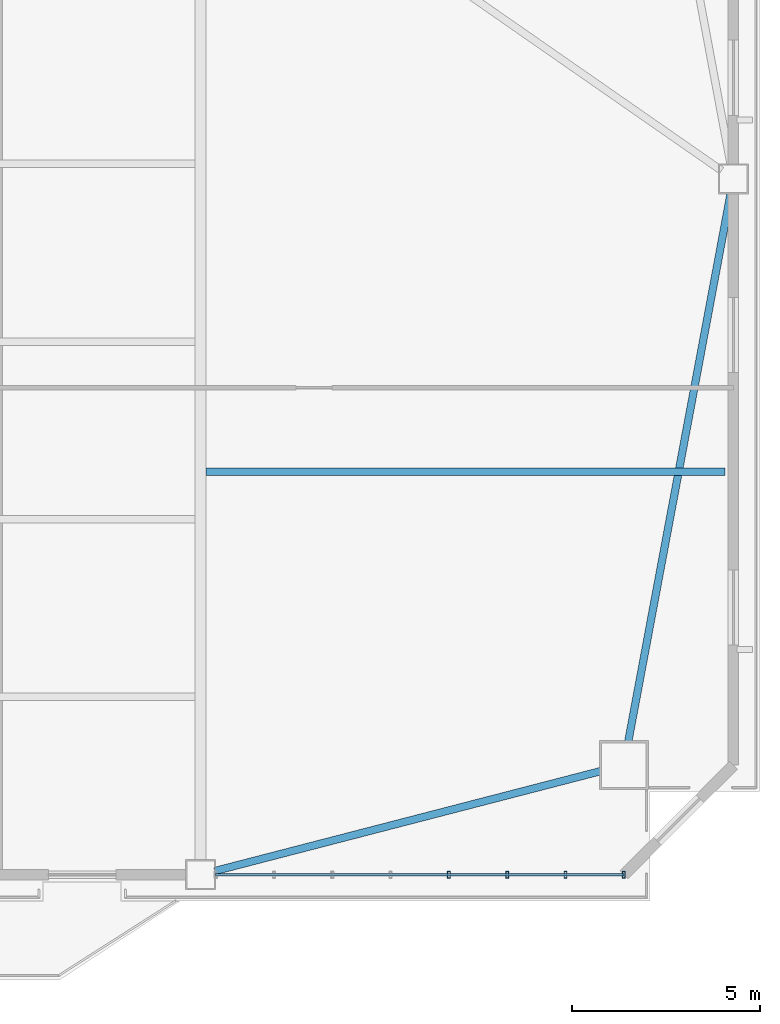
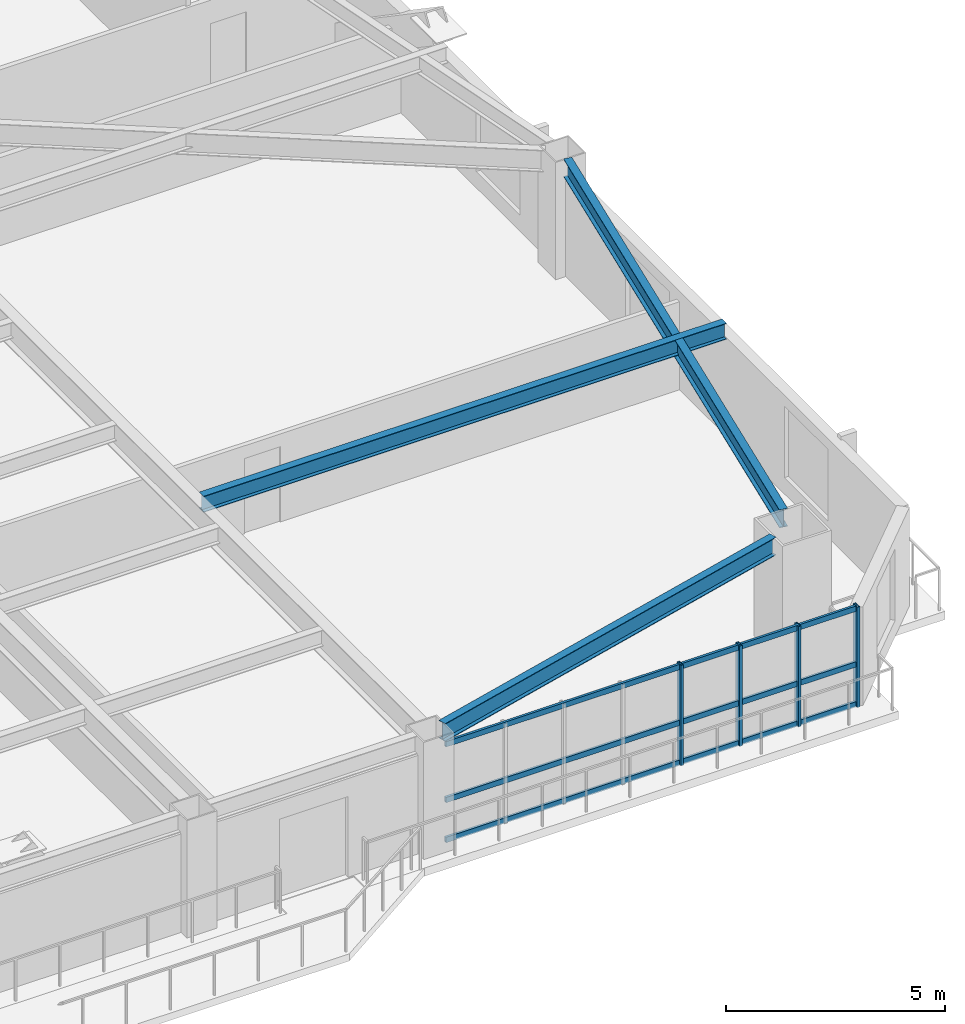
# One storey, part 5 of 16: 7 members, 3 beams, 1 element without a shape of its own.
"""IFC4 building model written with IfcOpenShell, lengths in metres."""

from ifc_helpers import new_model, si_unit, direction, frame, origin, origin_2d, place, context, subcontext, project, spatial, hollow_rectangle, i_section, extrude, source, transform, mapped, material, layer, layer_set, material_profile, profile_set, type_object, element, aggregate, save


model = new_model("IFC4")

# Units and contexts
model_context = context("Model", 3, precision=1e-05, world=origin(), true_north=direction((0.0, 1.0)))
body_context = subcontext(model_context, "Body", "Model", "MODEL_VIEW")
ifc_project = project(units=[si_unit("LENGTHUNIT", "METRE"), si_unit("AREAUNIT", "SQUARE_METRE"), si_unit("VOLUMEUNIT", "CUBIC_METRE"), si_unit("PLANEANGLEUNIT", "RADIAN"), si_unit("MASSUNIT", "GRAM", prefix="KILO")], contexts=[model_context])

# Site, building, storey
site_placement = place(None, origin())
site = spatial("IfcSite", under=ifc_project, at=site_placement, CompositionType="ELEMENT")
building_placement = place(site_placement, origin())
building = spatial("IfcBuilding", under=site, at=building_placement, Name="Giltprow Tower", CompositionType="ELEMENT")
storey_placement = place(building_placement, frame((0.0, 0.0, 163.199951171875)))
storey = spatial("IfcBuildingStorey", under=building, at=storey_placement, Name="L40", CompositionType="ELEMENT", Elevation=163.199951171875)

# Beams
ifc_material_1 = material(Name="Structural steel Q355B", Category="steel")
ifc_material_profile_1 = material_profile(ifc_material_1, i_section(OverallWidth=0.199951171875, OverallDepth=0.5, WebThickness=0.010009765625, FlangeThickness=0.01611328125, at=origin_2d()), Name="HN 500x200x10x16")
ifc_profile_set_1 = profile_set([ifc_material_profile_1], Name="Structural steel Q355B")
beam_type_1 = type_object("IfcBeamType", Name="BM-SPAN-HN500", PredefinedType="SPANDREL", material=ifc_profile_set_1)
shared_shape_1 = source(origin(), body_context, "Body", "SweptSolid", [
    extrude(i_section(OverallWidth=0.199951171875, OverallDepth=0.5, WebThickness=0.010009765625, FlangeThickness=0.01611328125, at=origin_2d()), origin(), (0.0, 0.0, 1.0), 10.603515625),
])
beam_1_placement = place(storey_placement, frame((50.923095703125, 9.194091796875, 3.02001953125), z_axis=(0.96807267562, 0.25066969246, 0.0), x_axis=(-0.25066969246, 0.96807267562, 0.0)))
element("IfcBeam", 1, at=beam_1_placement, inside=storey, type_object=beam_type_1, Name="L40 Perimeter Spandrel Beam S4-MC_SE", PredefinedType="SPANDREL", context=body_context, shape_type="MappedRepresentation", body=[
    mapped(shared_shape_1, transform((0.0, 0.0, 0.0), x_axis=(1.0, 0.0, 0.0), y_axis=(0.0, 1.0, 0.0), z_axis=(0.0, 0.0, 1.0), scale=1.0)),
])
shared_shape_2 = source(origin(), body_context, "Body", "SweptSolid", [
    extrude(i_section(OverallWidth=0.199951171875, OverallDepth=0.5, WebThickness=0.010009765625, FlangeThickness=0.01611328125, at=origin_2d()), origin(), (0.0, 0.0, 1.0), 14.83837890625),
])
beam_2_placement = place(storey_placement, frame((61.919921875, 12.635009765625, 3.02001953125), z_axis=(0.183652712761, 0.982991190752, 0.0), x_axis=(-0.982991190752, 0.183652712761, 0.0)))
element("IfcBeam", 2, at=beam_2_placement, inside=storey, type_object=beam_type_1, Name="L40 Perimeter Spandrel Beam MC_SE-E_MID", PredefinedType="SPANDREL", context=body_context, shape_type="MappedRepresentation", body=[
    mapped(shared_shape_2, transform((0.0, 0.0, 0.0), x_axis=(1.0, 0.0, 0.0), y_axis=(0.0, 1.0, 0.0), z_axis=(0.0, 0.0, 1.0), scale=1.0)),
])
ifc_material_profile_2 = material_profile(ifc_material_1, i_section(OverallWidth=0.199951171875, OverallDepth=0.449951171875, WebThickness=0.009033203125, FlangeThickness=0.013916015625, at=origin_2d()), Name="HN 450x200x9x14")
ifc_profile_set_2 = profile_set([ifc_material_profile_2], Name="Structural steel Q355B")
beam_type_2 = type_object("IfcBeamType", Name="BM-JOIST-HN450", PredefinedType="JOIST", material=ifc_profile_set_2)
shared_shape_3 = source(origin(), body_context, "Body", "SweptSolid", [
    extrude(i_section(OverallWidth=0.199951171875, OverallDepth=0.449951171875, WebThickness=0.009033203125, FlangeThickness=0.013916015625, at=origin_2d()), origin(), (0.0, 0.0, 1.0), 13.801025390625),
])
beam_3_placement = place(storey_placement, frame((50.695068359375, 19.804931640625, 3.045166015625), z_axis=(1.0, 0.0, 0.0), x_axis=(0.0, 1.0, 0.0)))
element("IfcBeam", 3, at=beam_3_placement, inside=storey, type_object=beam_type_2, Name="L40 East Wing Floor Joist 1", PredefinedType="JOIST", context=body_context, shape_type="MappedRepresentation", body=[
    mapped(shared_shape_3, transform((0.0, 0.0, 0.0), x_axis=(1.0, 0.0, 0.0), y_axis=(0.0, 1.0, 0.0), z_axis=(0.0, 0.0, 1.0), scale=1.0)),
])

# Curtain wall, members
ifc_material_2 = material(Name="Anodized bronze", Category="metal")
ifc_layer = layer(ifc_material_2, 0.179931640625, Name="Anodized bronze")
ifc_layer_set = layer_set([ifc_layer], Name="Anodized bronze")
curtain_wall_type = type_object("IfcCurtainWallType", Name="CW-HTL-BRONZE", PredefinedType="NOTDEFINED", material=ifc_layer_set)
curtain_wall_placement = place(storey_placement, origin())
curtain_wall = element("IfcCurtainWall", 4, at=curtain_wall_placement, inside=storey, type_object=curtain_wall_type, Name="L40 South Recessed Curtain Wall 6", PredefinedType="NOTDEFINED")
ifc_material_profile_3 = material_profile(ifc_material_2, hollow_rectangle(XDim=0.074951171875, YDim=0.179931640625, WallThickness=0.008056640625, at=origin_2d()), Name="RHS 180x75x8")
ifc_profile_set_3 = profile_set([ifc_material_profile_3], Name="Anodized bronze")
member_type_1 = type_object("IfcMemberType", Name="CW-MULLION-180x75", PredefinedType="MULLION", material=ifc_profile_set_3)
shared_shape_4 = source(origin(), body_context, "Body", "SweptSolid", [
    extrude(hollow_rectangle(XDim=0.074951171875, YDim=0.179931640625, WallThickness=0.008056640625, at=origin_2d()), origin(), (0.0, 0.0, 1.0), 2.80517578125),
])
member_1_placement = place(storey_placement, frame((57.152099609375, 9.097900390625, -0.02001953125), z_axis=(0.0, 0.0, 1.0), x_axis=(1.0, 0.0, 0.0)))
member_1 = element("IfcMember", 5, at=member_1_placement, type_object=member_type_1, Name="L40 South Recessed Curtain Wall 6 Mullion 5", PredefinedType="MULLION", context=body_context, shape_type="MappedRepresentation", body=[
    mapped(shared_shape_4, transform((0.0, 0.0, 0.0), x_axis=(1.0, 0.0, 0.0), y_axis=(0.0, 1.0, 0.0), z_axis=(0.0, 0.0, 1.0), scale=1.0)),
])
member_2_placement = place(storey_placement, frame((58.701904296875, 9.097900390625, -0.02001953125), z_axis=(0.0, 0.0, 1.0), x_axis=(1.0, 0.0, 0.0)))
member_2 = element("IfcMember", 6, at=member_2_placement, type_object=member_type_1, Name="L40 South Recessed Curtain Wall 6 Mullion 6", PredefinedType="MULLION", context=body_context, shape_type="MappedRepresentation", body=[
    mapped(shared_shape_4, transform((0.0, 0.0, 0.0), x_axis=(1.0, 0.0, 0.0), y_axis=(0.0, 1.0, 0.0), z_axis=(0.0, 0.0, 1.0), scale=1.0)),
])
member_3_placement = place(storey_placement, frame((60.2529296875, 9.097900390625, -0.02001953125), z_axis=(0.0, 0.0, 1.0), x_axis=(1.0, 0.0, 0.0)))
member_3 = element("IfcMember", 7, at=member_3_placement, type_object=member_type_1, Name="L40 South Recessed Curtain Wall 6 Mullion 7", PredefinedType="MULLION", context=body_context, shape_type="MappedRepresentation", body=[
    mapped(shared_shape_4, transform((0.0, 0.0, 0.0), x_axis=(1.0, 0.0, 0.0), y_axis=(0.0, 1.0, 0.0), z_axis=(0.0, 0.0, 1.0), scale=1.0)),
])
member_4_placement = place(storey_placement, frame((61.802978515625, 9.097900390625, -0.02001953125), z_axis=(0.0, 0.0, 1.0), x_axis=(1.0, 0.0, 0.0)))
member_4 = element("IfcMember", 8, at=member_4_placement, type_object=member_type_1, Name="L40 South Recessed Curtain Wall 6 Mullion 8", PredefinedType="MULLION", context=body_context, shape_type="MappedRepresentation", body=[
    mapped(shared_shape_4, transform((0.0, 0.0, 0.0), x_axis=(1.0, 0.0, 0.0), y_axis=(0.0, 1.0, 0.0), z_axis=(0.0, 0.0, 1.0), scale=1.0)),
])
ifc_material_profile_4 = material_profile(ifc_material_2, hollow_rectangle(XDim=0.06494140625, YDim=0.14990234375, WallThickness=0.006103515625, at=origin_2d()), Name="RHS 150x65x6")
ifc_profile_set_4 = profile_set([ifc_material_profile_4], Name="Anodized bronze")
member_type_2 = type_object("IfcMemberType", Name="CW-TRANSOM-150x65", PredefinedType="USERDEFINED", material=ifc_profile_set_4)
shared_shape_5 = source(origin(), body_context, "Body", "SweptSolid", [
    extrude(hollow_rectangle(XDim=0.06494140625, YDim=0.14990234375, WallThickness=0.006103515625, at=origin_2d()), origin(), (0.0, 0.0, 1.0), 10.85302734375),
])
member_5_placement = place(storey_placement, frame((50.949951171875, 9.097900390625, 0.0400390625), z_axis=(1.0, 0.0, 0.0), x_axis=(0.0, 1.0, 0.0)))
member_5 = element("IfcMember", 9, at=member_5_placement, type_object=member_type_2, Name="L40 South Recessed Curtain Wall 6 Transom 1", ObjectType="TRANSOM", PredefinedType="USERDEFINED", context=body_context, shape_type="MappedRepresentation", body=[
    mapped(shared_shape_5, transform((0.0, 0.0, 0.0), x_axis=(1.0, 0.0, 0.0), y_axis=(0.0, 1.0, 0.0), z_axis=(0.0, 0.0, 1.0), scale=1.0)),
])
member_6_placement = place(storey_placement, frame((50.949951171875, 9.097900390625, 1.155029296875), z_axis=(1.0, 0.0, 0.0), x_axis=(0.0, 1.0, 0.0)))
member_6 = element("IfcMember", 10, at=member_6_placement, type_object=member_type_2, Name="L40 South Recessed Curtain Wall 6 Transom 2", ObjectType="TRANSOM", PredefinedType="USERDEFINED", context=body_context, shape_type="MappedRepresentation", body=[
    mapped(shared_shape_5, transform((0.0, 0.0, 0.0), x_axis=(1.0, 0.0, 0.0), y_axis=(0.0, 1.0, 0.0), z_axis=(0.0, 0.0, 1.0), scale=1.0)),
])
member_7_placement = place(storey_placement, frame((50.949951171875, 9.097900390625, 2.7099609375), z_axis=(1.0, 0.0, 0.0), x_axis=(0.0, 1.0, 0.0)))
member_7 = element("IfcMember", 11, at=member_7_placement, type_object=member_type_2, Name="L40 South Recessed Curtain Wall 6 Transom 3", ObjectType="TRANSOM", PredefinedType="USERDEFINED", context=body_context, shape_type="MappedRepresentation", body=[
    mapped(shared_shape_5, transform((0.0, 0.0, 0.0), x_axis=(1.0, 0.0, 0.0), y_axis=(0.0, 1.0, 0.0), z_axis=(0.0, 0.0, 1.0), scale=1.0)),
])
aggregate(curtain_wall, [member_1, member_2, member_3, member_4, member_5, member_6, member_7])

save(model, "model.ifc")
